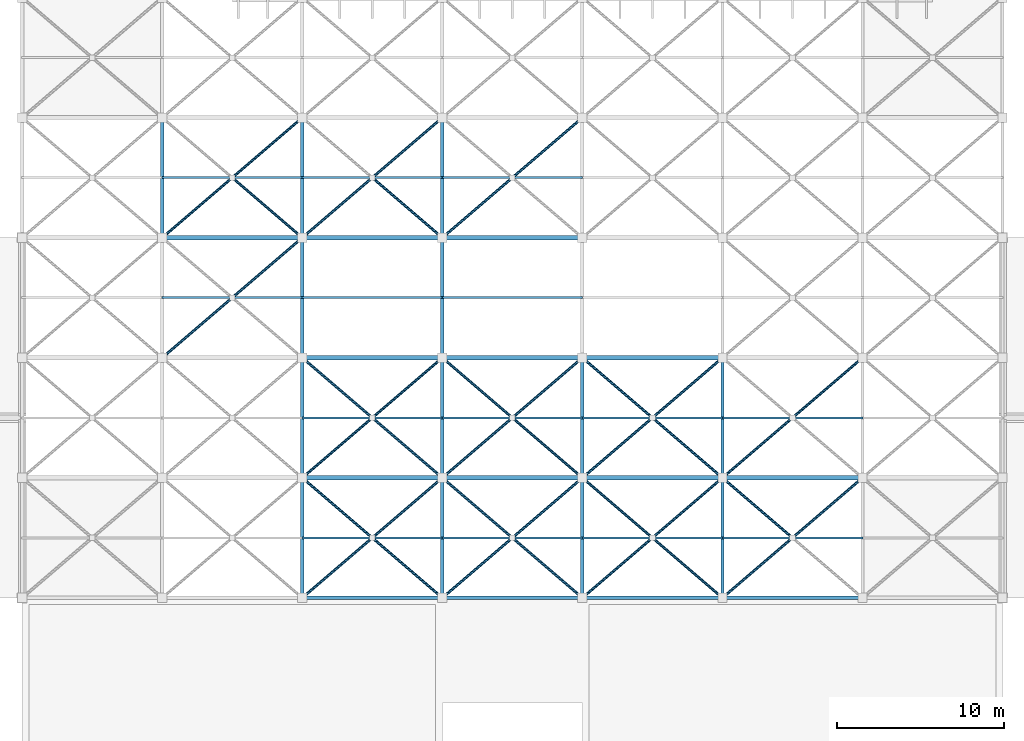
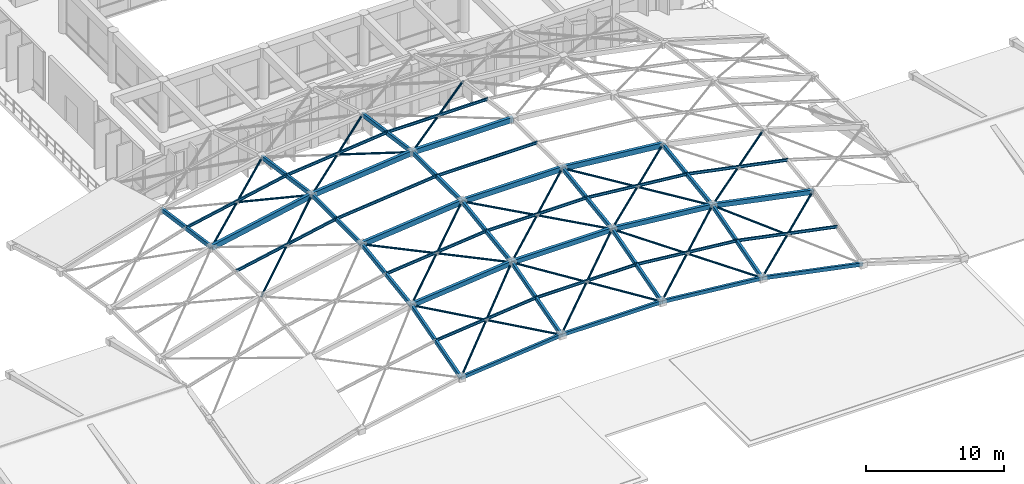
# One storey, part 2 of 23: 68 members.
"""IFC4 building model written with IfcOpenShell, lengths in metres."""

from ifc_helpers import new_model, si_unit, direction, frame, origin, origin_2d, place, context, subcontext, project, spatial, hollow_rectangle, hollow_circle, i_section, extrude, material, material_profile, profile_set, type_object, element, save


model = new_model("IFC4")

# Units and contexts
model_context = context("Model", 3, precision=1e-05, world=origin(), true_north=direction((0.0, 1.0)))
body_context = subcontext(model_context, "Body", "Model", "MODEL_VIEW")
ifc_project = project(units=[si_unit("LENGTHUNIT", "METRE"), si_unit("AREAUNIT", "SQUARE_METRE"), si_unit("VOLUMEUNIT", "CUBIC_METRE"), si_unit("PLANEANGLEUNIT", "RADIAN"), si_unit("MASSUNIT", "GRAM", prefix="KILO")], contexts=[model_context])

# Site, building, storey
site_placement = place(None, origin())
site = spatial("IfcSite", under=ifc_project, at=site_placement, CompositionType="ELEMENT")
building_placement = place(site_placement, origin())
building = spatial("IfcBuilding", under=site, at=building_placement, Name="Kenerak Square Central Library", CompositionType="ELEMENT")
storey_placement = place(building_placement, frame((0.0, 0.0, 18.8798828125)))
storey = spatial("IfcBuildingStorey", under=building, at=storey_placement, Name="L04", CompositionType="ELEMENT", Elevation=18.8798828125)

# Members
ifc_material = material(Name="Steel S355", Category="steel")
ifc_material_profile_1 = material_profile(ifc_material, hollow_rectangle(XDim=0.25, YDim=0.449951171875, WallThickness=0.01611328125, at=origin_2d()), Name="RHS 450x250x16.0")
ifc_profile_set_1 = profile_set([ifc_material_profile_1], Name="Steel S355")
member_type_1 = type_object("IfcMemberType", Name="Gridshell Arch Chord GM-01 RHS 450x250x16 S355", PredefinedType="CHORD", material=ifc_profile_set_1)
member_1_placement = place(storey_placement, frame((75.199951171875, 31.199951171875, 7.31689453125), z_axis=(0.994929826536, 0.0, 0.100571567899), x_axis=(0.0, 1.0, 0.0)))
element("IfcMember", 1, at=member_1_placement, inside=storey, type_object=member_type_1, Name="Gridshell Arch Chord 0017", PredefinedType="CHORD", context=body_context, shape_type="SweptSolid", body=[
    extrude(hollow_rectangle(XDim=0.25, YDim=0.449951171875, WallThickness=0.01611328125, at=origin_2d()), origin(), (0.0, 0.0, 1.0), 8.44287109375),
])
member_2_placement = place(storey_placement, frame((83.60009765625, 31.199951171875, 8.166015625), z_axis=(1.0, 0.0, 0.0), x_axis=(0.0, 1.0, 0.0)))
element("IfcMember", 2, at=member_2_placement, inside=storey, type_object=member_type_1, Name="Gridshell Arch Chord 0018", PredefinedType="CHORD", context=body_context, shape_type="SweptSolid", body=[
    extrude(hollow_rectangle(XDim=0.25, YDim=0.449951171875, WallThickness=0.01611328125, at=origin_2d()), origin(), (0.0, 0.0, 1.0), 8.39990234375),
])
member_3_placement = place(storey_placement, frame((92.0, 31.199951171875, 8.166015625), z_axis=(0.994929534043, 0.0, -0.100574461414), x_axis=(0.0, 1.0, 0.0)))
element("IfcMember", 3, at=member_3_placement, inside=storey, type_object=member_type_1, Name="Gridshell Arch Chord 0019", PredefinedType="CHORD", context=body_context, shape_type="SweptSolid", body=[
    extrude(hollow_rectangle(XDim=0.25, YDim=0.449951171875, WallThickness=0.01611328125, at=origin_2d()), origin(), (0.0, 0.0, 1.0), 8.442626953125),
])
member_4_placement = place(storey_placement, frame((66.800048828125, 38.39990234375, 5.619140625), z_axis=(0.980179807064, 0.0, 0.198109933684), x_axis=(0.0, 1.0, 0.0)))
element("IfcMember", 4, at=member_4_placement, inside=storey, type_object=member_type_1, Name="Gridshell Arch Chord 0023", PredefinedType="CHORD", context=body_context, shape_type="SweptSolid", body=[
    extrude(hollow_rectangle(XDim=0.25, YDim=0.449951171875, WallThickness=0.01611328125, at=origin_2d()), origin(), (0.0, 0.0, 1.0), 8.56982421875),
])
member_5_placement = place(storey_placement, frame((75.199951171875, 38.39990234375, 7.31689453125), z_axis=(0.994929826536, 0.0, 0.100571567899), x_axis=(0.0, 1.0, 0.0)))
element("IfcMember", 5, at=member_5_placement, inside=storey, type_object=member_type_1, Name="Gridshell Arch Chord 0024", PredefinedType="CHORD", context=body_context, shape_type="SweptSolid", body=[
    extrude(hollow_rectangle(XDim=0.25, YDim=0.449951171875, WallThickness=0.01611328125, at=origin_2d()), origin(), (0.0, 0.0, 1.0), 8.44287109375),
])
member_6_placement = place(storey_placement, frame((83.60009765625, 38.39990234375, 8.166015625), z_axis=(1.0, 0.0, 0.0), x_axis=(0.0, 1.0, 0.0)))
element("IfcMember", 6, at=member_6_placement, inside=storey, type_object=member_type_1, Name="Gridshell Arch Chord 0025", PredefinedType="CHORD", context=body_context, shape_type="SweptSolid", body=[
    extrude(hollow_rectangle(XDim=0.25, YDim=0.449951171875, WallThickness=0.01611328125, at=origin_2d()), origin(), (0.0, 0.0, 1.0), 8.39990234375),
])
ifc_material_profile_2 = material_profile(ifc_material, hollow_rectangle(XDim=0.25, YDim=0.39990234375, WallThickness=0.012451171875, at=origin_2d()), Name="RHS 400x250x12.5")
ifc_profile_set_2 = profile_set([ifc_material_profile_2], Name="Steel S355")
member_type_2 = type_object("IfcMemberType", Name="Gridshell Arch Rib GM-02 RHS 400x250x12.5 S355", PredefinedType="CHORD", material=ifc_profile_set_2)
member_7_placement = place(storey_placement, frame((75.199951171875, 24.0, 6.29296875), z_axis=(0.994929826536, 0.0, 0.100571567899), x_axis=(0.0, 1.0, 0.0)))
element("IfcMember", 7, at=member_7_placement, inside=storey, type_object=member_type_2, Name="Gridshell Arch Chord 0010", PredefinedType="CHORD", context=body_context, shape_type="SweptSolid", body=[
    extrude(hollow_rectangle(XDim=0.25, YDim=0.39990234375, WallThickness=0.012451171875, at=origin_2d()), origin(), (0.0, 0.0, 1.0), 8.44287109375),
])
member_8_placement = place(storey_placement, frame((83.60009765625, 24.0, 7.14208984375), z_axis=(1.0, 0.0, 0.0), x_axis=(0.0, 1.0, 0.0)))
element("IfcMember", 8, at=member_8_placement, inside=storey, type_object=member_type_2, Name="Gridshell Arch Chord 0011", PredefinedType="CHORD", context=body_context, shape_type="SweptSolid", body=[
    extrude(hollow_rectangle(XDim=0.25, YDim=0.39990234375, WallThickness=0.012451171875, at=origin_2d()), origin(), (0.0, 0.0, 1.0), 8.39990234375),
])
member_9_placement = place(storey_placement, frame((92.0, 24.0, 7.14208984375), z_axis=(0.994929534043, 0.0, -0.100574461414), x_axis=(0.0, 1.0, 0.0)))
element("IfcMember", 9, at=member_9_placement, inside=storey, type_object=member_type_2, Name="Gridshell Arch Chord 0012", PredefinedType="CHORD", context=body_context, shape_type="SweptSolid", body=[
    extrude(hollow_rectangle(XDim=0.25, YDim=0.39990234375, WallThickness=0.012451171875, at=origin_2d()), origin(), (0.0, 0.0, 1.0), 8.442626953125),
])
member_10_placement = place(storey_placement, frame((100.39990234375, 24.0, 6.29296875), z_axis=(0.98017539306, 0.0, -0.198131771405), x_axis=(0.0, 1.0, 0.0)))
element("IfcMember", 10, at=member_10_placement, inside=storey, type_object=member_type_2, Name="Gridshell Arch Chord 0013", PredefinedType="CHORD", context=body_context, shape_type="SweptSolid", body=[
    extrude(hollow_rectangle(XDim=0.25, YDim=0.39990234375, WallThickness=0.012451171875, at=origin_2d()), origin(), (0.0, 0.0, 1.0), 8.570068359375),
])
ifc_material_profile_3 = material_profile(ifc_material, hollow_rectangle(XDim=0.199951171875, YDim=0.35009765625, WallThickness=0.012451171875, at=origin_2d()), Name="RHS 350x200x12.5")
ifc_profile_set_3 = profile_set([ifc_material_profile_3], Name="Steel S355")
member_type_3 = type_object("IfcMemberType", Name="Gridshell Cross Rib GM-03 RHS 350x200x12.5 S355", PredefinedType="RAFTER", material=ifc_profile_set_3)
member_11_placement = place(storey_placement, frame((66.800048828125, 38.39990234375, 5.619140625), z_axis=(0.0, 0.990034580506, -0.140824463082), x_axis=(-1.0, 0.0, 0.0)))
element("IfcMember", 11, at=member_11_placement, inside=storey, type_object=member_type_3, Name="Gridshell Cross Rib 0051", PredefinedType="RAFTER", context=body_context, shape_type="SweptSolid", body=[
    extrude(hollow_rectangle(XDim=0.199951171875, YDim=0.35009765625, WallThickness=0.012451171875, at=origin_2d()), origin(), (0.0, 0.0, 1.0), 7.272705078125),
])
member_12_placement = place(storey_placement, frame((75.199951171875, 16.800048828125, 4.2451171875), z_axis=(0.0, 0.96185064623, 0.273575098185), x_axis=(-1.0, 0.0, 0.0)))
element("IfcMember", 12, at=member_12_placement, inside=storey, type_object=member_type_3, Name="Gridshell Cross Rib 0053", PredefinedType="RAFTER", context=body_context, shape_type="SweptSolid", body=[
    extrude(hollow_rectangle(XDim=0.199951171875, YDim=0.35009765625, WallThickness=0.012451171875, at=origin_2d()), origin(), (0.0, 0.0, 1.0), 7.485595703125),
])
member_13_placement = place(storey_placement, frame((75.199951171875, 24.0, 6.29296875), z_axis=(0.0, 0.990038594829, 0.140796238402), x_axis=(-1.0, 0.0, 0.0)))
element("IfcMember", 13, at=member_13_placement, inside=storey, type_object=member_type_3, Name="Gridshell Cross Rib 0054", PredefinedType="RAFTER", context=body_context, shape_type="SweptSolid", body=[
    extrude(hollow_rectangle(XDim=0.199951171875, YDim=0.35009765625, WallThickness=0.012451171875, at=origin_2d()), origin(), (0.0, 0.0, 1.0), 7.2724609375),
])
member_14_placement = place(storey_placement, frame((75.199951171875, 31.199951171875, 7.31689453125), z_axis=(0.0, 1.0, 0.0), x_axis=(-1.0, 0.0, 0.0)))
element("IfcMember", 14, at=member_14_placement, inside=storey, type_object=member_type_3, Name="Gridshell Cross Rib 0055", PredefinedType="RAFTER", context=body_context, shape_type="SweptSolid", body=[
    extrude(hollow_rectangle(XDim=0.199951171875, YDim=0.35009765625, WallThickness=0.012451171875, at=origin_2d()), origin(), (0.0, 0.0, 1.0), 7.199951171875),
])
member_15_placement = place(storey_placement, frame((75.199951171875, 38.39990234375, 7.31689453125), z_axis=(0.0, 0.990039260291, -0.140791558988), x_axis=(-1.0, 0.0, 0.0)))
element("IfcMember", 15, at=member_15_placement, inside=storey, type_object=member_type_3, Name="Gridshell Cross Rib 0056", PredefinedType="RAFTER", context=body_context, shape_type="SweptSolid", body=[
    extrude(hollow_rectangle(XDim=0.199951171875, YDim=0.35009765625, WallThickness=0.012451171875, at=origin_2d()), origin(), (0.0, 0.0, 1.0), 7.272705078125),
])
member_16_placement = place(storey_placement, frame((83.60009765625, 16.800048828125, 5.093994140625), z_axis=(0.0, 0.96184206356, 0.273605271819), x_axis=(-1.0, 0.0, 0.0)))
element("IfcMember", 16, at=member_16_placement, inside=storey, type_object=member_type_3, Name="Gridshell Cross Rib 0058", PredefinedType="RAFTER", context=body_context, shape_type="SweptSolid", body=[
    extrude(hollow_rectangle(XDim=0.199951171875, YDim=0.35009765625, WallThickness=0.012451171875, at=origin_2d()), origin(), (0.0, 0.0, 1.0), 7.485595703125),
])
member_17_placement = place(storey_placement, frame((83.60009765625, 24.0, 7.14208984375), z_axis=(0.0, 0.990038594829, 0.140796238402), x_axis=(-1.0, 0.0, 0.0)))
element("IfcMember", 17, at=member_17_placement, inside=storey, type_object=member_type_3, Name="Gridshell Cross Rib 0059", PredefinedType="RAFTER", context=body_context, shape_type="SweptSolid", body=[
    extrude(hollow_rectangle(XDim=0.199951171875, YDim=0.35009765625, WallThickness=0.012451171875, at=origin_2d()), origin(), (0.0, 0.0, 1.0), 7.2724609375),
])
member_18_placement = place(storey_placement, frame((83.60009765625, 31.199951171875, 8.166015625), z_axis=(0.0, 1.0, 0.0), x_axis=(-1.0, 0.0, 0.0)))
element("IfcMember", 18, at=member_18_placement, inside=storey, type_object=member_type_3, Name="Gridshell Cross Rib 0060", PredefinedType="RAFTER", context=body_context, shape_type="SweptSolid", body=[
    extrude(hollow_rectangle(XDim=0.199951171875, YDim=0.35009765625, WallThickness=0.012451171875, at=origin_2d()), origin(), (0.0, 0.0, 1.0), 7.199951171875),
])
member_19_placement = place(storey_placement, frame((83.60009765625, 38.39990234375, 8.166015625), z_axis=(0.0, 0.990039260291, -0.140791558988), x_axis=(-1.0, 0.0, 0.0)))
element("IfcMember", 19, at=member_19_placement, inside=storey, type_object=member_type_3, Name="Gridshell Cross Rib 0061", PredefinedType="RAFTER", context=body_context, shape_type="SweptSolid", body=[
    extrude(hollow_rectangle(XDim=0.199951171875, YDim=0.35009765625, WallThickness=0.012451171875, at=origin_2d()), origin(), (0.0, 0.0, 1.0), 7.272705078125),
])
member_20_placement = place(storey_placement, frame((92.0, 16.800048828125, 5.093994140625), z_axis=(0.0, 0.96184206356, 0.273605271819), x_axis=(-1.0, 0.0, 0.0)))
element("IfcMember", 20, at=member_20_placement, inside=storey, type_object=member_type_3, Name="Gridshell Cross Rib 0063", PredefinedType="RAFTER", context=body_context, shape_type="SweptSolid", body=[
    extrude(hollow_rectangle(XDim=0.199951171875, YDim=0.35009765625, WallThickness=0.012451171875, at=origin_2d()), origin(), (0.0, 0.0, 1.0), 7.485595703125),
])
member_21_placement = place(storey_placement, frame((92.0, 24.0, 7.14208984375), z_axis=(0.0, 0.990038594829, 0.140796238402), x_axis=(-1.0, 0.0, 0.0)))
element("IfcMember", 21, at=member_21_placement, inside=storey, type_object=member_type_3, Name="Gridshell Cross Rib 0064", PredefinedType="RAFTER", context=body_context, shape_type="SweptSolid", body=[
    extrude(hollow_rectangle(XDim=0.199951171875, YDim=0.35009765625, WallThickness=0.012451171875, at=origin_2d()), origin(), (0.0, 0.0, 1.0), 7.2724609375),
])
member_22_placement = place(storey_placement, frame((100.39990234375, 16.800048828125, 4.2451171875), z_axis=(0.0, 0.96185064623, 0.273575098185), x_axis=(-1.0, 0.0, 0.0)))
element("IfcMember", 22, at=member_22_placement, inside=storey, type_object=member_type_3, Name="Gridshell Cross Rib 0068", PredefinedType="RAFTER", context=body_context, shape_type="SweptSolid", body=[
    extrude(hollow_rectangle(XDim=0.199951171875, YDim=0.35009765625, WallThickness=0.012451171875, at=origin_2d()), origin(), (0.0, 0.0, 1.0), 7.485595703125),
])
member_23_placement = place(storey_placement, frame((100.39990234375, 24.0, 6.29296875), z_axis=(0.0, 0.990038594829, 0.140796238402), x_axis=(-1.0, 0.0, 0.0)))
element("IfcMember", 23, at=member_23_placement, inside=storey, type_object=member_type_3, Name="Gridshell Cross Rib 0069", PredefinedType="RAFTER", context=body_context, shape_type="SweptSolid", body=[
    extrude(hollow_rectangle(XDim=0.199951171875, YDim=0.35009765625, WallThickness=0.012451171875, at=origin_2d()), origin(), (0.0, 0.0, 1.0), 7.2724609375),
])
ifc_material_profile_4 = material_profile(ifc_material, hollow_rectangle(XDim=0.199951171875, YDim=0.300048828125, WallThickness=0.010009765625, at=origin_2d()), Name="RHS 300x200x10.0")
ifc_profile_set_4 = profile_set([ifc_material_profile_4], Name="Steel S355")
member_type_4 = type_object("IfcMemberType", Name="Gridshell Edge Rib GM-04 RHS 300x200x10 S355", PredefinedType="RAFTER", material=ifc_profile_set_4)
member_24_placement = place(storey_placement, frame((75.199951171875, 16.800048828125, 4.2451171875), z_axis=(0.994932719565, 0.0, 0.100542943759), x_axis=(0.0, 1.0, 0.0)))
element("IfcMember", 24, at=member_24_placement, inside=storey, type_object=member_type_4, Name="Gridshell Arch Chord 0003", PredefinedType="RAFTER", context=body_context, shape_type="SweptSolid", body=[
    extrude(hollow_rectangle(XDim=0.199951171875, YDim=0.300048828125, WallThickness=0.010009765625, at=origin_2d()), origin(), (0.0, 0.0, 1.0), 8.44287109375),
])
member_25_placement = place(storey_placement, frame((83.60009765625, 16.800048828125, 5.093994140625), z_axis=(1.0, 0.0, 0.0), x_axis=(0.0, 1.0, 0.0)))
element("IfcMember", 25, at=member_25_placement, inside=storey, type_object=member_type_4, Name="Gridshell Arch Chord 0004", PredefinedType="RAFTER", context=body_context, shape_type="SweptSolid", body=[
    extrude(hollow_rectangle(XDim=0.199951171875, YDim=0.300048828125, WallThickness=0.010009765625, at=origin_2d()), origin(), (0.0, 0.0, 1.0), 8.39990234375),
])
member_26_placement = place(storey_placement, frame((92.0, 16.800048828125, 5.093994140625), z_axis=(0.994932427238, 0.0, -0.100545836468), x_axis=(0.0, 1.0, 0.0)))
element("IfcMember", 26, at=member_26_placement, inside=storey, type_object=member_type_4, Name="Gridshell Arch Chord 0005", PredefinedType="RAFTER", context=body_context, shape_type="SweptSolid", body=[
    extrude(hollow_rectangle(XDim=0.199951171875, YDim=0.300048828125, WallThickness=0.010009765625, at=origin_2d()), origin(), (0.0, 0.0, 1.0), 8.442626953125),
])
member_27_placement = place(storey_placement, frame((100.39990234375, 16.800048828125, 4.2451171875), z_axis=(0.98017539306, 0.0, -0.198131771405), x_axis=(0.0, 1.0, 0.0)))
element("IfcMember", 27, at=member_27_placement, inside=storey, type_object=member_type_4, Name="Gridshell Arch Chord 0006", PredefinedType="RAFTER", context=body_context, shape_type="SweptSolid", body=[
    extrude(hollow_rectangle(XDim=0.199951171875, YDim=0.300048828125, WallThickness=0.010009765625, at=origin_2d()), origin(), (0.0, 0.0, 1.0), 8.570068359375),
])
ifc_material_profile_5 = material_profile(ifc_material, hollow_circle(Radius=0.084228515625, WallThickness=0.008056640625, at=origin_2d()), Name="CHS 168.3x8.0")
ifc_profile_set_5 = profile_set([ifc_material_profile_5], Name="Steel S355")
member_type_5 = type_object("IfcMemberType", Name="Gridshell Nodal Brace GB-11 CHS 168.3x8 S355", PredefinedType="BRACE", material=ifc_profile_set_5)
member_28_placement = place(storey_placement, frame((66.800048828125, 31.199951171875, 5.619140625), z_axis=(0.750469975867, 0.643263095341, 0.151681922112), x_axis=(-0.650793190779, 0.759255044656, 0.0)))
element("IfcMember", 28, at=member_28_placement, inside=storey, type_object=member_type_5, Name="Gridshell Diagonal Brace 0111", PredefinedType="BRACE", context=body_context, shape_type="SweptSolid", body=[
    extrude(hollow_circle(Radius=0.084228515625, WallThickness=0.008056640625, at=origin_2d()), origin(), (0.0, 0.0, 1.0), 11.19287109375),
])
member_29_placement = place(storey_placement, frame((66.800048828125, 38.39990234375, 5.619140625), z_axis=(0.757839847069, 0.649602184786, 0.06079282619), x_axis=(-0.650805911728, 0.759244140748, 0.0)))
element("IfcMember", 29, at=member_29_placement, inside=storey, type_object=member_type_5, Name="Gridshell Diagonal Brace 0115", PredefinedType="BRACE", context=body_context, shape_type="SweptSolid", body=[
    extrude(hollow_circle(Radius=0.084228515625, WallThickness=0.008056640625, at=origin_2d()), origin(), (0.0, 0.0, 1.0), 11.083984375),
])
member_30_placement = place(storey_placement, frame((75.199951171875, 38.39990234375, 7.31689453125), z_axis=(-0.737262660764, 0.63196432851, -0.238882516177), x_axis=(-0.650806158381, -0.759243929323, 0.0)))
element("IfcMember", 30, at=member_30_placement, inside=storey, type_object=member_type_5, Name="Gridshell Split Brace Seg 1 0116", PredefinedType="BRACE", context=body_context, shape_type="SweptSolid", body=[
    extrude(hollow_circle(Radius=0.084228515625, WallThickness=0.008056640625, at=origin_2d()), origin(), (0.0, 0.0, 1.0), 5.6015625),
])
member_31_placement = place(storey_placement, frame((75.199951171875, 16.800048828125, 4.2451171875), z_axis=(0.734501357192, 0.629557343708, 0.253308719285), x_axis=(-0.650782286936, 0.759264390716, 0.0)))
element("IfcMember", 31, at=member_31_placement, inside=storey, type_object=member_type_5, Name="Gridshell Diagonal Brace 0123", PredefinedType="BRACE", context=body_context, shape_type="SweptSolid", body=[
    extrude(hollow_circle(Radius=0.084228515625, WallThickness=0.008056640625, at=origin_2d()), origin(), (0.0, 0.0, 1.0), 11.4365234375),
])
member_32_placement = place(storey_placement, frame((83.60009765625, 16.800048828125, 5.093994140625), z_axis=(-0.75486366841, 0.646968607112, 0.107761141073), x_axis=(-0.650758092862, -0.759285127323, 0.0)))
element("IfcMember", 32, at=member_32_placement, inside=storey, type_object=member_type_5, Name="Gridshell Split Brace Seg 1 0124", PredefinedType="BRACE", context=body_context, shape_type="SweptSolid", body=[
    extrude(hollow_circle(Radius=0.084228515625, WallThickness=0.008056640625, at=origin_2d()), origin(), (0.0, 0.0, 1.0), 5.468994140625),
])
member_33_placement = place(storey_placement, frame((79.328369140625, 20.46142578125, 5.70361328125), z_axis=(-0.754841867591, 0.646994561139, 0.10775802888), x_axis=(-0.650783978093, -0.759262941186, 0.0)))
element("IfcMember", 33, at=member_33_placement, inside=storey, type_object=member_type_5, Name="Gridshell Split Brace Seg 2 0125", PredefinedType="BRACE", context=body_context, shape_type="SweptSolid", body=[
    extrude(hollow_circle(Radius=0.084228515625, WallThickness=0.008056640625, at=origin_2d()), origin(), (0.0, 0.0, 1.0), 5.46923828125),
])
member_34_placement = place(storey_placement, frame((75.199951171875, 24.0, 6.29296875), z_axis=(0.748611750787, 0.641651673859, 0.166923862936), x_axis=(-0.650782286936, 0.759264390716, 0.0)))
element("IfcMember", 34, at=member_34_placement, inside=storey, type_object=member_type_5, Name="Gridshell Diagonal Brace 0127", PredefinedType="BRACE", context=body_context, shape_type="SweptSolid", body=[
    extrude(hollow_circle(Radius=0.084228515625, WallThickness=0.008056640625, at=origin_2d()), origin(), (0.0, 0.0, 1.0), 11.220947265625),
])
for number, where, z_axis, x_axis, name in (
    (35, (83.60009765625, 24.0, 7.14208984375), (-0.759174444723, 0.6506952953, 0.015804909188), (-0.650776580794, -0.75926928154, 0.0), "Gridshell Split Brace Seg 1 0128"),
    (36, (79.327880859375, 27.661865234375, 7.23095703125), (-0.759174444723, 0.6506952953, 0.015804909188), (-0.650776580794, -0.75926928154, 0.0), "Gridshell Split Brace Seg 2 0129"),
):
    element("IfcMember", number, at=place(storey_placement, frame(where, z_axis=z_axis, x_axis=x_axis)), inside=storey, type_object=member_type_5, Name=name, PredefinedType="BRACE", context=body_context, shape_type="SweptSolid", body=[
        extrude(hollow_circle(Radius=0.084228515625, WallThickness=0.008056640625, at=origin_2d()), origin(), (0.0, 0.0, 1.0), 5.4375),
    ])
member_35_placement = place(storey_placement, frame((75.199951171875, 38.39990234375, 7.31689453125), z_axis=(0.759158736538, 0.650713792483, -0.015797879948), x_axis=(-0.650795007986, 0.759253487039, 0.0)))
element("IfcMember", 37, at=member_35_placement, inside=storey, type_object=member_type_5, Name="Gridshell Diagonal Brace 0132", PredefinedType="BRACE", context=body_context, shape_type="SweptSolid", body=[
    extrude(hollow_circle(Radius=0.084228515625, WallThickness=0.008056640625, at=origin_2d()), origin(), (0.0, 0.0, 1.0), 11.065185546875),
])
member_36_placement = place(storey_placement, frame((83.60009765625, 38.39990234375, 8.166015625), z_axis=(-0.748604296443, 0.641660825522, -0.166922114586), x_axis=(-0.650791373456, -0.759256602365, 0.0)))
element("IfcMember", 38, at=member_36_placement, inside=storey, type_object=member_type_5, Name="Gridshell Split Brace Seg 1 0133", PredefinedType="BRACE", context=body_context, shape_type="SweptSolid", body=[
    extrude(hollow_circle(Radius=0.084228515625, WallThickness=0.008056640625, at=origin_2d()), origin(), (0.0, 0.0, 1.0), 5.515380859375),
])
member_37_placement = place(storey_placement, frame((83.60009765625, 16.800048828125, 5.093994140625), z_axis=(0.746569944652, 0.639920195249, 0.18203148479), x_axis=(-0.650793190779, 0.759255044656, 0.0)))
element("IfcMember", 39, at=member_37_placement, inside=storey, type_object=member_type_5, Name="Gridshell Diagonal Brace 0140", PredefinedType="BRACE", context=body_context, shape_type="SweptSolid", body=[
    extrude(hollow_circle(Radius=0.084228515625, WallThickness=0.008056640625, at=origin_2d()), origin(), (0.0, 0.0, 1.0), 11.251220703125),
])
for number, where, z_axis, x_axis, name in (
    (40, (92.0, 16.800048828125, 5.093994140625), (-0.746588248391, 0.639894947595, 0.18204516859), (-0.650769190746, -0.759275615555, 0.0), "Gridshell Split Brace Seg 1 0141"),
    (41, (87.72900390625, 20.460693359375, 6.13525390625), (-0.746547620132, 0.639942103184, 0.182046025628), (-0.650817252708, -0.759234419384, 0.0), "Gridshell Split Brace Seg 2 0142"),
):
    element("IfcMember", number, at=place(storey_placement, frame(where, z_axis=z_axis, x_axis=x_axis)), inside=storey, type_object=member_type_5, Name=name, PredefinedType="BRACE", context=body_context, shape_type="SweptSolid", body=[
        extrude(hollow_circle(Radius=0.084228515625, WallThickness=0.008056640625, at=origin_2d()), origin(), (0.0, 0.0, 1.0), 5.53076171875),
    ])
member_38_placement = place(storey_placement, frame((83.60009765625, 24.0, 7.14208984375), z_axis=(0.756024004127, 0.648023714053, 0.092157317715), x_axis=(-0.650793190779, 0.759255044656, 0.0)))
element("IfcMember", 42, at=member_38_placement, inside=storey, type_object=member_type_5, Name="Gridshell Diagonal Brace 0144", PredefinedType="BRACE", context=body_context, shape_type="SweptSolid", body=[
    extrude(hollow_circle(Radius=0.084228515625, WallThickness=0.008056640625, at=origin_2d()), origin(), (0.0, 0.0, 1.0), 11.110595703125),
])
for number, where, z_axis, x_axis, name in (
    (43, (92.0, 24.0, 7.14208984375), (-0.756035435184, 0.648011210723, 0.092151459691), (-0.650780279685, -0.759266111171, 0.0), "Gridshell Split Brace Seg 1 0145"),
    (44, (87.728271484375, 27.66162109375, 7.662841796875), (-0.756035435184, 0.648011210723, 0.092151459691), (-0.650780279685, -0.759266111171, 0.0), "Gridshell Split Brace Seg 2 0146"),
):
    element("IfcMember", number, at=place(storey_placement, frame(where, z_axis=z_axis, x_axis=x_axis)), inside=storey, type_object=member_type_5, Name=name, PredefinedType="BRACE", context=body_context, shape_type="SweptSolid", body=[
        extrude(hollow_circle(Radius=0.084228515625, WallThickness=0.008056640625, at=origin_2d()), origin(), (0.0, 0.0, 1.0), 5.460205078125),
    ])
member_39_placement = place(storey_placement, frame((83.60009765625, 38.39990234375, 8.166015625), z_axis=(0.756013238831, 0.648036459908, -0.092156005454), x_axis=(-0.650805911728, 0.759244140748, 0.0)))
element("IfcMember", 45, at=member_39_placement, inside=storey, type_object=member_type_5, Name="Gridshell Diagonal Brace 0149", PredefinedType="BRACE", context=body_context, shape_type="SweptSolid", body=[
    extrude(hollow_circle(Radius=0.084228515625, WallThickness=0.008056640625, at=origin_2d()), origin(), (0.0, 0.0, 1.0), 11.11083984375),
])
member_40_placement = place(storey_placement, frame((92.0, 16.800048828125, 5.093994140625), z_axis=(0.754835276748, 0.647004799935, 0.107742720575), x_axis=(-0.650793190779, 0.759255044656, 0.0)))
element("IfcMember", 46, at=member_40_placement, inside=storey, type_object=member_type_5, Name="Gridshell Diagonal Brace 0157", PredefinedType="BRACE", context=body_context, shape_type="SweptSolid", body=[
    extrude(hollow_circle(Radius=0.084228515625, WallThickness=0.008056640625, at=origin_2d()), origin(), (0.0, 0.0, 1.0), 11.128173828125),
])
member_41_placement = place(storey_placement, frame((100.39990234375, 16.800048828125, 4.2451171875), z_axis=(-0.734501611794, 0.629560404978, 0.253300372596), x_axis=(-0.650783981153, -0.759262938563, 0.0)))
element("IfcMember", 47, at=member_41_placement, inside=storey, type_object=member_type_5, Name="Gridshell Split Brace Seg 1 0158", PredefinedType="BRACE", context=body_context, shape_type="SweptSolid", body=[
    extrude(hollow_circle(Radius=0.084228515625, WallThickness=0.008056640625, at=origin_2d()), origin(), (0.0, 0.0, 1.0), 5.623046875),
])
member_42_placement = place(storey_placement, frame((96.130126953125, 20.459716796875, 5.717529296875), z_axis=(-0.734473457102, 0.629579689155, 0.253334079458), x_axis=(-0.650809853404, -0.759240762019, 0.0)))
element("IfcMember", 48, at=member_42_placement, inside=storey, type_object=member_type_5, Name="Gridshell Split Brace Seg 2 0159", PredefinedType="BRACE", context=body_context, shape_type="SweptSolid", body=[
    extrude(hollow_circle(Radius=0.084228515625, WallThickness=0.008056640625, at=origin_2d()), origin(), (0.0, 0.0, 1.0), 5.623291015625),
])
member_43_placement = place(storey_placement, frame((92.0, 24.0, 7.14208984375), z_axis=(0.759160288064, 0.65071197045, 0.015798371396), x_axis=(-0.650793190779, 0.759255044656, 0.0)))
element("IfcMember", 49, at=member_43_placement, inside=storey, type_object=member_type_5, Name="Gridshell Diagonal Brace 0161", PredefinedType="BRACE", context=body_context, shape_type="SweptSolid", body=[
    extrude(hollow_circle(Radius=0.084228515625, WallThickness=0.008056640625, at=origin_2d()), origin(), (0.0, 0.0, 1.0), 11.064697265625),
])
for number, where, z_axis, x_axis, name in (
    (50, (100.39990234375, 24.0, 6.29296875), (-0.748604296443, 0.641660825522, 0.166922114586), (-0.650791373456, -0.759256602365, 0.0), "Gridshell Split Brace Seg 1 0162"),
    (51, (96.12890625, 27.660888671875, 7.245361328125), (-0.748604296443, 0.641660825522, 0.166922114586), (-0.650791373456, -0.759256602365, 0.0), "Gridshell Split Brace Seg 2 0163"),
):
    element("IfcMember", number, at=place(storey_placement, frame(where, z_axis=z_axis, x_axis=x_axis)), inside=storey, type_object=member_type_5, Name=name, PredefinedType="BRACE", context=body_context, shape_type="SweptSolid", body=[
        extrude(hollow_circle(Radius=0.084228515625, WallThickness=0.008056640625, at=origin_2d()), origin(), (0.0, 0.0, 1.0), 5.515380859375),
    ])
member_44_placement = place(storey_placement, frame((100.39990234375, 16.800048828125, 4.2451171875), z_axis=(0.758885056249, 0.650457150982, 0.0316064256), x_axis=(-0.650782286936, 0.759264390716, 0.0)))
element("IfcMember", 52, at=member_44_placement, inside=storey, type_object=member_type_5, Name="Gridshell Diagonal Brace 0174", PredefinedType="BRACE", context=body_context, shape_type="SweptSolid", body=[
    extrude(hollow_circle(Radius=0.084228515625, WallThickness=0.008056640625, at=origin_2d()), origin(), (0.0, 0.0, 1.0), 11.069091796875),
])
member_45_placement = place(storey_placement, frame((104.53173828125, 20.45849609375, 4.450439453125), z_axis=(-0.719159722909, 0.616410478641, 0.320698323611), x_axis=(-0.65078398421, -0.759262935942, 0.0)))
element("IfcMember", 53, at=member_45_placement, inside=storey, type_object=member_type_5, Name="Gridshell Split Brace Seg 2 0176", PredefinedType="BRACE", context=body_context, shape_type="SweptSolid", body=[
    extrude(hollow_circle(Radius=0.084228515625, WallThickness=0.008056640625, at=origin_2d()), origin(), (0.0, 0.0, 1.0), 5.745361328125),
])
member_46_placement = place(storey_placement, frame((100.39990234375, 24.0, 6.29296875), z_axis=(0.757860066287, 0.649578609436, -0.060792681226), x_axis=(-0.650782286936, 0.759264390716, 0.0)))
element("IfcMember", 54, at=member_46_placement, inside=storey, type_object=member_type_5, Name="Gridshell Diagonal Brace 0178", PredefinedType="BRACE", context=body_context, shape_type="SweptSolid", body=[
    extrude(hollow_circle(Radius=0.084228515625, WallThickness=0.008056640625, at=origin_2d()), origin(), (0.0, 0.0, 1.0), 11.083984375),
])
ifc_material_profile_6 = material_profile(ifc_material, i_section(OverallWidth=0.1201171875, OverallDepth=0.239990234375, WebThickness=0.006103515625, FlangeThickness=0.009765625, FilletRadius=0.014892578125, at=origin_2d()), Name="IPE 240")
ifc_profile_set_6 = profile_set([ifc_material_profile_6], Name="Steel S355")
member_type_6 = type_object("IfcMemberType", Name="Roof Steel Purlin PR-01 IPE 240 S355", PredefinedType="PURLIN", material=ifc_profile_set_6)
for number, where, z_axis, x_axis, name in (
    (55, (66.800048828125, 34.800048828125, 5.714111328125), (0.980174274695, 0.0, 0.198137303973), (0.0, 1.0, 0.0), "Gridshell Purlin PR-01 0114"),
    (56, (66.800048828125, 42.0, 5.2021484375), (0.980179807064, 0.0, 0.198109933684), (0.0, 1.0, 0.0), "Gridshell Purlin PR-01 0118"),
):
    element("IfcMember", number, at=place(storey_placement, frame(where, z_axis=z_axis, x_axis=x_axis)), inside=storey, type_object=member_type_6, Name=name, PredefinedType="PURLIN", context=body_context, shape_type="SweptSolid", body=[
        extrude(i_section(OverallWidth=0.1201171875, OverallDepth=0.239990234375, WebThickness=0.006103515625, FlangeThickness=0.009765625, FilletRadius=0.014892578125, at=origin_2d()), origin(), (0.0, 0.0, 1.0), 8.56982421875),
    ])
for number, where, z_axis, x_axis, name in (
    (57, (75.199951171875, 20.39990234375, 5.364013671875), (0.994932719565, 0.0, 0.100542943759), (0.0, 1.0, 0.0), "Gridshell Purlin PR-01 0126"),
    (58, (75.199951171875, 27.60009765625, 6.89990234375), (0.994929826536, 0.0, 0.100571567899), (0.0, 1.0, 0.0), "Gridshell Purlin PR-01 0130"),
    (59, (75.199951171875, 34.800048828125, 7.412109375), (0.994932719565, 0.0, 0.100542943759), (0.0, 1.0, 0.0), "Gridshell Purlin PR-01 0131"),
    (60, (75.199951171875, 42.0, 6.89990234375), (0.994929826536, 0.0, 0.100571567899), (0.0, 1.0, 0.0), "Gridshell Purlin PR-01 0135"),
):
    element("IfcMember", number, at=place(storey_placement, frame(where, z_axis=z_axis, x_axis=x_axis)), inside=storey, type_object=member_type_6, Name=name, PredefinedType="PURLIN", context=body_context, shape_type="SweptSolid", body=[
        extrude(i_section(OverallWidth=0.1201171875, OverallDepth=0.239990234375, WebThickness=0.006103515625, FlangeThickness=0.009765625, FilletRadius=0.014892578125, at=origin_2d()), origin(), (0.0, 0.0, 1.0), 8.44287109375),
    ])
for number, where, z_axis, x_axis, name in (
    (61, (83.60009765625, 20.39990234375, 6.212890625), (1.0, 0.0, 0.0), (0.0, 1.0, 0.0), "Gridshell Purlin PR-01 0143"),
    (62, (83.60009765625, 27.60009765625, 7.7490234375), (1.0, 0.0, 0.0), (0.0, 1.0, 0.0), "Gridshell Purlin PR-01 0147"),
    (63, (83.60009765625, 34.800048828125, 8.260986328125), (1.0, 0.0, 0.0), (0.0, 1.0, 0.0), "Gridshell Purlin PR-01 0148"),
    (64, (83.60009765625, 42.0, 7.7490234375), (1.0, 0.0, 0.0), (0.0, 1.0, 0.0), "Gridshell Purlin PR-01 0152"),
):
    element("IfcMember", number, at=place(storey_placement, frame(where, z_axis=z_axis, x_axis=x_axis)), inside=storey, type_object=member_type_6, Name=name, PredefinedType="PURLIN", context=body_context, shape_type="SweptSolid", body=[
        extrude(i_section(OverallWidth=0.1201171875, OverallDepth=0.239990234375, WebThickness=0.006103515625, FlangeThickness=0.009765625, FilletRadius=0.014892578125, at=origin_2d()), origin(), (0.0, 0.0, 1.0), 8.39990234375),
    ])
for number, where, z_axis, x_axis, name in (
    (65, (92.0, 20.39990234375, 6.212890625), (0.994932427238, 0.0, -0.100545836468), (0.0, 1.0, 0.0), "Gridshell Purlin PR-01 0160"),
    (66, (92.0, 27.60009765625, 7.7490234375), (0.994929534043, 0.0, -0.100574461414), (0.0, 1.0, 0.0), "Gridshell Purlin PR-01 0164"),
):
    element("IfcMember", number, at=place(storey_placement, frame(where, z_axis=z_axis, x_axis=x_axis)), inside=storey, type_object=member_type_6, Name=name, PredefinedType="PURLIN", context=body_context, shape_type="SweptSolid", body=[
        extrude(i_section(OverallWidth=0.1201171875, OverallDepth=0.239990234375, WebThickness=0.006103515625, FlangeThickness=0.009765625, FilletRadius=0.014892578125, at=origin_2d()), origin(), (0.0, 0.0, 1.0), 8.442626953125),
    ])
for number, where, z_axis, x_axis, name in (
    (67, (100.39990234375, 20.39990234375, 5.364013671875), (0.98017539306, 0.0, -0.198131771405), (0.0, 1.0, 0.0), "Gridshell Purlin PR-01 0177"),
    (68, (100.39990234375, 27.60009765625, 6.89990234375), (0.980180925126, 0.0, -0.198104401817), (0.0, 1.0, 0.0), "Gridshell Purlin PR-01 0181"),
):
    element("IfcMember", number, at=place(storey_placement, frame(where, z_axis=z_axis, x_axis=x_axis)), inside=storey, type_object=member_type_6, Name=name, PredefinedType="PURLIN", context=body_context, shape_type="SweptSolid", body=[
        extrude(i_section(OverallWidth=0.1201171875, OverallDepth=0.239990234375, WebThickness=0.006103515625, FlangeThickness=0.009765625, FilletRadius=0.014892578125, at=origin_2d()), origin(), (0.0, 0.0, 1.0), 8.570068359375),
    ])

save(model, "model.ifc")
